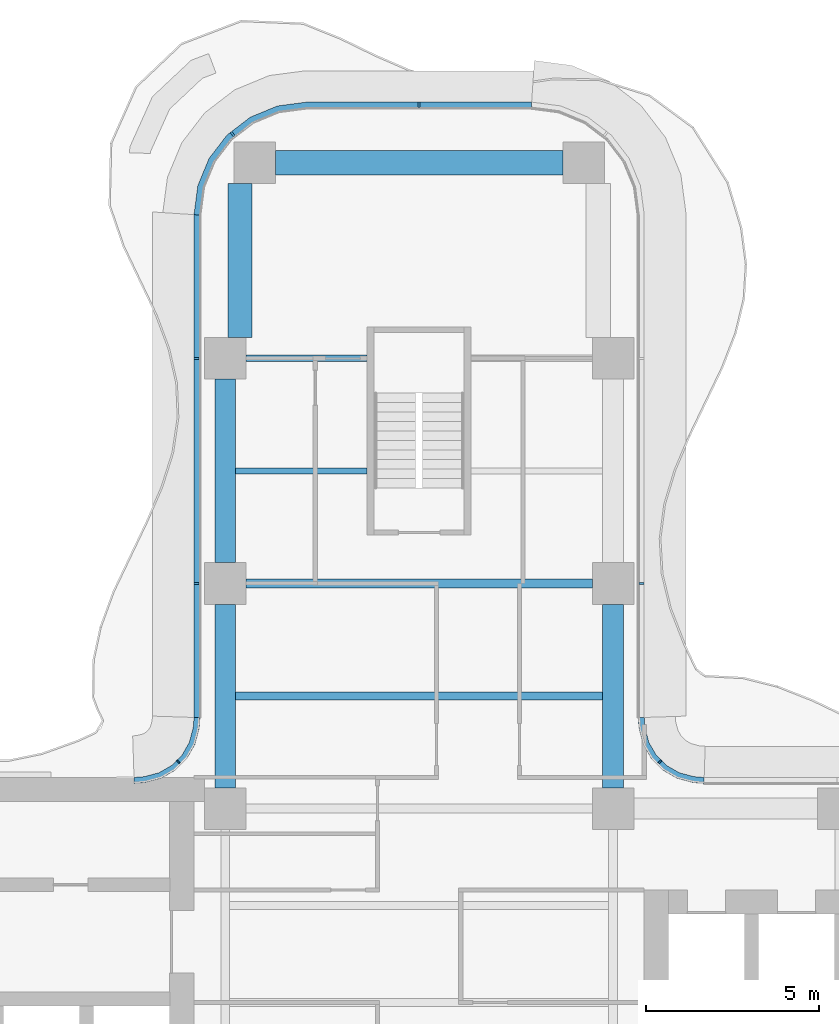
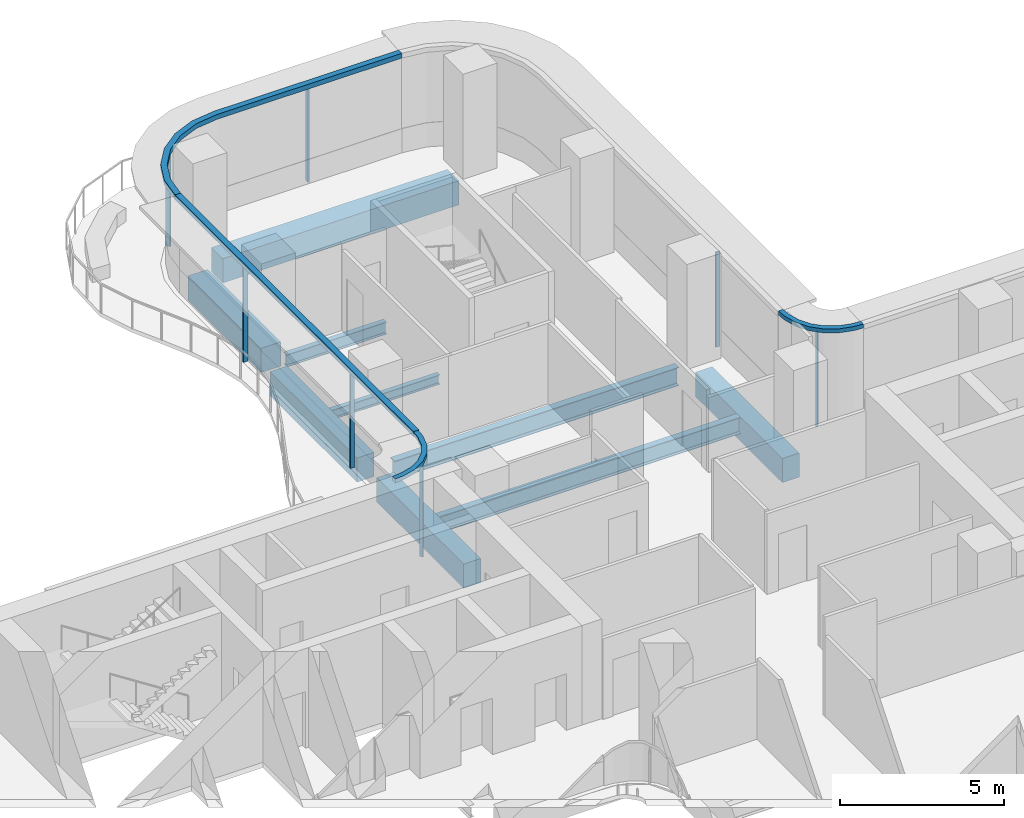
# One storey, part 7 of 17: 11 members, 9 beams, 5 elements without a shape of their own.
"""IFC4 building model written with IfcOpenShell, lengths in metres."""

from ifc_helpers import new_model, si_unit, direction, frame, origin, origin_2d, place, context, subcontext, project, spatial, polyline, rectangle, i_section, outline, extrude, source, transform, mapped, material, layer, layer_set, material_profile, profile_set, type_object, element, aggregate, save


model = new_model("IFC4")

# Units and contexts
model_context = context("Model", 3, precision=1e-05, world=origin(), true_north=direction((0.0, 1.0)))
body_context = subcontext(model_context, "Body", "Model", "MODEL_VIEW")
ifc_project = project(units=[si_unit("LENGTHUNIT", "METRE"), si_unit("AREAUNIT", "SQUARE_METRE"), si_unit("VOLUMEUNIT", "CUBIC_METRE"), si_unit("PLANEANGLEUNIT", "RADIAN"), si_unit("MASSUNIT", "GRAM", prefix="KILO")], contexts=[model_context])

# Site, building, storey
site_placement = place(None, origin())
site = spatial("IfcSite", under=ifc_project, at=site_placement, CompositionType="ELEMENT")
building_placement = place(site_placement, origin())
building = spatial("IfcBuilding", under=site, at=building_placement, Name="Trellis Farm Tower", CompositionType="ELEMENT")
storey_placement = place(building_placement, frame((0.0, 0.0, 165.89990234375)))
storey = spatial("IfcBuildingStorey", under=building, at=storey_placement, Name="L35", CompositionType="ELEMENT", Elevation=165.89990234375)

# Curtain wall, member
ifc_material_1 = material(Name="Aluminium and glass curtain wall", Category="aluminium")
ifc_layer_1 = layer(ifc_material_1, 0.18994140625)
ifc_layer_set_1 = layer_set([ifc_layer_1], Name="RIBBON CURTAIN WALL CW1")
curtain_wall_type_1 = type_object("IfcCurtainWallType", Name="RIBBON CURTAIN WALL CW1", PredefinedType="NOTDEFINED", material=ifc_layer_set_1)
placement_1 = place(storey_placement, origin())
curtain_wall_1 = element("IfcCurtainWall", 1, at=placement_1, inside=storey, type_object=curtain_wall_type_1, Name="CW1 010", PredefinedType="NOTDEFINED")
ifc_material_2 = material(Name="Aluminium extrusion 6063-T6", Category="aluminium")
ifc_layer_2 = layer(ifc_material_2, 0.199951171875)
ifc_layer_set_2 = layer_set([ifc_layer_2], Name="Aluminium extrusion 6063-T6")
member_type_1 = type_object("IfcMemberType", Name="CW1 TRANSOM 200x180", PredefinedType="USERDEFINED", material=ifc_layer_set_2)
placement_2 = place(storey_placement, frame((0.0, 0.0, 3.52001953125)))
member_1 = element("IfcMember", 2, at=placement_2, type_object=member_type_1, Name="TR1 010", ObjectType="TRANSOM", PredefinedType="USERDEFINED", context=body_context, shape_type="SweptSolid", body=[
    extrude(outline(polyline([(3.25, 26.0), (-3.25, 26.0), (-4.091064453125, 25.88916015625), (-4.875, 25.564697265625), (-5.548095703125, 25.048095703125), (-6.064697265625, 24.375), (-6.38916015625, 23.591064453125), (-6.5, 22.75), (-6.300048828125, 22.73681640625), (-6.1943359375, 23.5390625), (-5.889892578125, 24.274169921875), (-5.405517578125, 24.905517578125), (-4.774169921875, 25.389892578125), (-4.0390625, 25.6943359375), (-3.23681640625, 25.800048828125), (3.23681640625, 25.800048828125), (3.25, 26.0)])), origin(), (0.0, 0.0, 1.0), 0.18017578125),
])

curtain_wall_2 = element("IfcCurtainWall", 3, at=placement_1, inside=storey, type_object=curtain_wall_type_1, Name="CW1 011", PredefinedType="NOTDEFINED")
member_2 = element("IfcMember", 4, at=placement_2, type_object=member_type_1, Name="TR1 011", ObjectType="TRANSOM", PredefinedType="USERDEFINED", context=body_context, shape_type="SweptSolid", body=[
    extrude(outline(polyline([(-6.5, 22.75), (-6.5, 8.2314453125), (-6.300048828125, 8.224853515625), (-6.300048828125, 22.73681640625), (-6.5, 22.75)])), origin(), (0.0, 0.0, 1.0), 0.18017578125),
])

# Beams
ifc_material_3 = material(Name="Steel S355", Category="steel")
ifc_material_profile_1 = material_profile(ifc_material_3, i_section(OverallWidth=0.1904296875, OverallDepth=0.45703125, WebThickness=0.009033203125, FlangeThickness=0.014404296875, FilletRadius=0.01025390625, at=origin_2d()), Name="UB 457x191x74")
ifc_profile_set_1 = profile_set([ifc_material_profile_1], Name="Steel S355")
beam_type_1 = type_object("IfcBeamType", Name="UB 457x191x74", PredefinedType="BEAM", material=ifc_profile_set_1)
shared_shape_1 = source(origin(), body_context, "Body", "SweptSolid", [
    extrude(i_section(OverallWidth=0.1904296875, OverallDepth=0.45703125, WebThickness=0.009033203125, FlangeThickness=0.014404296875, FilletRadius=0.01025390625, at=origin_2d()), origin(), (0.0, 0.0, 1.0), 3.5),
])
beam_1_placement = place(storey_placement, frame((-5.0, 18.60009765625, -0.428466796875), z_axis=(1.0, 0.0, 0.0), x_axis=(0.0, 1.0, 0.0)))
element("IfcBeam", 5, at=beam_1_placement, inside=storey, type_object=beam_type_1, Name="Girder", PredefinedType="BEAM", context=body_context, shape_type="MappedRepresentation", body=[
    mapped(shared_shape_1, transform((0.0, 0.0, 0.0))),
])
ifc_material_4 = material(Name="Concrete C60/75", Category="concrete")
ifc_material_profile_2 = material_profile(ifc_material_4, rectangle(XDim=0.60009765625, YDim=0.89990234375, at=origin_2d()), Name="RC spandrel beam 600x900 C60/75")
ifc_profile_set_2 = profile_set([ifc_material_profile_2], Name="Concrete C60/75")
beam_type_2 = type_object("IfcBeamType", Name="RC spandrel beam 600x900 C60/75", PredefinedType="SPANDREL", material=ifc_profile_set_2)
shared_shape_2 = source(origin(), body_context, "Body", "SweptSolid", [
    extrude(rectangle(XDim=0.60009765625, YDim=0.89990234375, at=origin_2d()), origin(), (0.0, 0.0, 1.0), 5.300048828125),
])
for number, where, z_axis, x_axis, name in (
    (6, (-5.60009765625, 6.199951171875, -0.64990234375), (0.0, 1.0, 0.0), (-1.0, 0.0, 0.0), "Girder"),
    (7, (-5.60009765625, 12.699951171875, -0.64990234375), (0.0, 1.0, 0.0), (-1.0, 0.0, 0.0), "Girder"),
    (8, (5.60009765625, 6.199951171875, -0.64990234375), (0.0, 1.0, 0.0), (-1.0, 0.0, 0.0), "Girder"),
):
    element("IfcBeam", number, at=place(storey_placement, frame(where, z_axis=z_axis, x_axis=x_axis)), inside=storey, type_object=beam_type_2, Name=name, PredefinedType="SPANDREL", context=body_context, shape_type="MappedRepresentation", body=[
        mapped(shared_shape_2, transform((0.0, 0.0, 0.0))),
    ])
ifc_material_profile_3 = material_profile(ifc_material_3, i_section(OverallWidth=0.253662109375, OverallDepth=0.68359375, WebThickness=0.012451171875, FlangeThickness=0.021728515625, FilletRadius=0.01513671875, at=origin_2d()), Name="UB 686x254x140")
ifc_profile_set_3 = profile_set([ifc_material_profile_3], Name="Steel S355")
beam_type_3 = type_object("IfcBeamType", Name="UB 686x254x140", PredefinedType="BEAM", material=ifc_profile_set_3)
shared_shape_3 = source(origin(), body_context, "Body", "SweptSolid", [
    extrude(i_section(OverallWidth=0.253662109375, OverallDepth=0.68359375, WebThickness=0.012451171875, FlangeThickness=0.021728515625, FilletRadius=0.01513671875, at=origin_2d()), origin(), (0.0, 0.0, 1.0), 10.0),
])
beam_2_placement = place(storey_placement, frame((-5.0, 12.10009765625, -0.54150390625), z_axis=(1.0, 0.0, 0.0), x_axis=(0.0, 1.0, 0.0)))
element("IfcBeam", 9, at=beam_2_placement, inside=storey, type_object=beam_type_3, Name="Girder", PredefinedType="BEAM", context=body_context, shape_type="MappedRepresentation", body=[
    mapped(shared_shape_3, transform((0.0, 0.0, 0.0))),
])
ifc_material_profile_4 = material_profile(ifc_material_4, rectangle(XDim=0.699951171875, YDim=0.89990234375, at=origin_2d()), Name="RC spandrel beam 700x900 C60/75")
ifc_profile_set_4 = profile_set([ifc_material_profile_4], Name="Concrete C60/75")
beam_type_4 = type_object("IfcBeamType", Name="RC spandrel beam 700x900 C60/75", PredefinedType="SPANDREL", material=ifc_profile_set_4)
shared_shape_4 = source(origin(), body_context, "Body", "SweptSolid", [
    extrude(rectangle(XDim=0.699951171875, YDim=0.89990234375, at=origin_2d()), origin(), (0.0, 0.0, 1.0), 8.2998046875),
])
beam_3_placement = place(storey_placement, frame((-4.14990234375, 24.25, -0.64990234375), z_axis=(1.0, 0.0, 0.0), x_axis=(0.0, 1.0, 0.0)))
element("IfcBeam", 10, at=beam_3_placement, inside=storey, type_object=beam_type_4, Name="Girder", PredefinedType="SPANDREL", context=body_context, shape_type="MappedRepresentation", body=[
    mapped(shared_shape_4, transform((0.0, 0.0, 0.0))),
])
shared_shape_5 = source(origin(), body_context, "Body", "SweptSolid", [
    extrude(rectangle(XDim=0.699951171875, YDim=0.89990234375, at=origin_2d()), origin(), (0.0, 0.0, 1.0), 4.449951171875),
])
beam_4_placement = place(storey_placement, frame((-5.175048828125, 19.199951171875, -0.64990234375), z_axis=(0.0, 1.0, 0.0), x_axis=(-1.0, 0.0, 0.0)))
element("IfcBeam", 11, at=beam_4_placement, inside=storey, type_object=beam_type_4, Name="Girder", PredefinedType="SPANDREL", context=body_context, shape_type="MappedRepresentation", body=[
    mapped(shared_shape_5, transform((0.0, 0.0, 0.0))),
])
ifc_material_profile_5 = material_profile(ifc_material_3, i_section(OverallWidth=0.17138671875, OverallDepth=0.35498046875, WebThickness=0.00732421875, FlangeThickness=0.011474609375, FilletRadius=0.01025390625, at=origin_2d()), Name="UB 356x171x51")
ifc_profile_set_5 = profile_set([ifc_material_profile_5], Name="Steel S355")
beam_type_5 = type_object("IfcBeamType", Name="UB 356x171x51 joist", PredefinedType="JOIST", material=ifc_profile_set_5)
shared_shape_6 = source(origin(), body_context, "Body", "SweptSolid", [
    extrude(i_section(OverallWidth=0.17138671875, OverallDepth=0.35498046875, WebThickness=0.00732421875, FlangeThickness=0.011474609375, FilletRadius=0.01025390625, at=origin_2d()), origin(), (0.0, 0.0, 1.0), 3.800048828125),
])
beam_5_placement = place(storey_placement, frame((-5.300048828125, 15.35009765625, -0.37744140625), z_axis=(1.0, 0.0, 0.0), x_axis=(0.0, 1.0, 0.0)))
element("IfcBeam", 12, at=beam_5_placement, inside=storey, type_object=beam_type_5, Name="Floor beam", PredefinedType="JOIST", context=body_context, shape_type="MappedRepresentation", body=[
    mapped(shared_shape_6, transform((0.0, 0.0, 0.0))),
])
ifc_material_profile_6 = material_profile(ifc_material_3, i_section(OverallWidth=0.22900390625, OverallDepth=0.6123046875, WebThickness=0.011962890625, FlangeThickness=0.01953125, FilletRadius=0.0126953125, at=origin_2d()), Name="UB 610x229x125")
ifc_profile_set_6 = profile_set([ifc_material_profile_6], Name="Steel S355")
beam_type_6 = type_object("IfcBeamType", Name="UB 610x229x125 joist", PredefinedType="JOIST", material=ifc_profile_set_6)
shared_shape_7 = source(origin(), body_context, "Body", "SweptSolid", [
    extrude(i_section(OverallWidth=0.22900390625, OverallDepth=0.6123046875, WebThickness=0.011962890625, FlangeThickness=0.01953125, FilletRadius=0.0126953125, at=origin_2d()), origin(), (0.0, 0.0, 1.0), 10.60009765625),
])
beam_6_placement = place(storey_placement, frame((-5.300048828125, 8.85009765625, -0.506103515625), z_axis=(1.0, 0.0, 0.0), x_axis=(0.0, 1.0, 0.0)))
element("IfcBeam", 13, at=beam_6_placement, inside=storey, type_object=beam_type_6, Name="Floor beam", PredefinedType="JOIST", context=body_context, shape_type="MappedRepresentation", body=[
    mapped(shared_shape_7, transform((0.0, 0.0, 0.0))),
])

# Curtain wall, member
curtain_wall_3 = element("IfcCurtainWall", 14, at=placement_1, inside=storey, type_object=curtain_wall_type_1, Name="CW1 009", PredefinedType="NOTDEFINED")
ifc_material_profile_7 = material_profile(ifc_material_2, rectangle(XDim=0.06005859375, YDim=0.14990234375, at=origin_2d()), Name="MULLION 60x150")
ifc_profile_set_7 = profile_set([ifc_material_profile_7], Name="Aluminium extrusion 6063-T6")
member_type_2 = type_object("IfcMemberType", Name="CW1 MULLION 60x150", PredefinedType="MULLION", material=ifc_profile_set_7)
shared_shape_8 = source(origin(), body_context, "Body", "SweptSolid", [
    extrude(rectangle(XDim=0.06005859375, YDim=0.14990234375, at=origin_2d()), origin(), (0.0, 0.0, 1.0), 3.52001953125),
])
member_3_placement = place(storey_placement, frame((6.425048828125, 12.10009765625, 0.0), z_axis=(0.0, 0.0, 1.0), x_axis=(0.0, 1.0, 0.0)))
member_3 = element("IfcMember", 15, at=member_3_placement, type_object=member_type_2, Name="MU1 009-01", PredefinedType="MULLION", context=body_context, shape_type="MappedRepresentation", body=[
    mapped(shared_shape_8, transform((0.0, 0.0, 0.0))),
])
aggregate(curtain_wall_3, [member_3])

# Member
member_4_placement = place(storey_placement, frame((0.0, 25.925048828125, 0.0), z_axis=(0.0, 0.0, 1.0), x_axis=(-1.0, 0.0, 0.0)))
member_4 = element("IfcMember", 16, at=member_4_placement, type_object=member_type_2, Name="MU1 010-01", PredefinedType="MULLION", context=body_context, shape_type="MappedRepresentation", body=[
    mapped(shared_shape_8, transform((0.0, 0.0, 0.0))),
])

member_5_placement = place(storey_placement, frame((-5.385498046875, 25.078369140625, 0.0), z_axis=(0.0, 0.0, 1.0), x_axis=(-0.793353340291, -0.608761429009, 0.0)))
member_5 = element("IfcMember", 17, at=member_5_placement, type_object=member_type_2, Name="MU1 010-02", PredefinedType="MULLION", context=body_context, shape_type="MappedRepresentation", body=[
    mapped(shared_shape_8, transform((0.0, 0.0, 0.0))),
])

aggregate(curtain_wall_1, [member_4, member_5, member_1])

member_6_placement = place(storey_placement, frame((-6.425048828125, 18.60009765625, 0.0), z_axis=(0.0, 0.0, 1.0), x_axis=(0.0, -1.0, 0.0)))
member_6 = element("IfcMember", 18, at=member_6_placement, type_object=member_type_2, Name="MU1 011-01", PredefinedType="MULLION", context=body_context, shape_type="MappedRepresentation", body=[
    mapped(shared_shape_8, transform((0.0, 0.0, 0.0))),
])

member_7_placement = place(storey_placement, frame((-6.425048828125, 12.10009765625, 0.0), z_axis=(0.0, 0.0, 1.0), x_axis=(0.0, -1.0, 0.0)))
member_7 = element("IfcMember", 19, at=member_7_placement, type_object=member_type_2, Name="MU1 011-02", PredefinedType="MULLION", context=body_context, shape_type="MappedRepresentation", body=[
    mapped(shared_shape_8, transform((0.0, 0.0, 0.0))),
])

aggregate(curtain_wall_2, [member_6, member_7, member_2])

# Curtain wall, member
ifc_layer_3 = layer(ifc_material_1, 0.166015625)
ifc_layer_set_3 = layer_set([ifc_layer_3], Name="WINTER GARDEN CURTAIN WALL CW3")
curtain_wall_type_2 = type_object("IfcCurtainWallType", Name="WINTER GARDEN CURTAIN WALL CW3", PredefinedType="NOTDEFINED", material=ifc_layer_set_3)
curtain_wall_4 = element("IfcCurtainWall", 20, at=placement_1, inside=storey, type_object=curtain_wall_type_2, Name="CW3 003", PredefinedType="NOTDEFINED")
ifc_material_profile_8 = material_profile(ifc_material_2, rectangle(XDim=0.050048828125, YDim=0.1201171875, at=origin_2d()), Name="MULLION 50x120")
ifc_profile_set_8 = profile_set([ifc_material_profile_8], Name="Aluminium extrusion 6063-T6")
member_type_3 = type_object("IfcMemberType", Name="CW3 MULLION 50x120", PredefinedType="MULLION", material=ifc_profile_set_8)
shared_shape_9 = source(origin(), body_context, "Body", "SweptSolid", [
    extrude(rectangle(XDim=0.050048828125, YDim=0.1201171875, at=origin_2d()), origin(), (0.0, 0.0, 1.0), 3.550048828125),
])
member_8_placement = place(storey_placement, frame((6.953125, 6.953125, 0.0), z_axis=(0.0, 0.0, 1.0), x_axis=(-0.707106781187, 0.707106781187, 0.0)))
member_8 = element("IfcMember", 21, at=member_8_placement, type_object=member_type_3, Name="MU3 003-01", PredefinedType="MULLION", context=body_context, shape_type="MappedRepresentation", body=[
    mapped(shared_shape_9, transform((0.0, 0.0, 0.0))),
])

curtain_wall_5 = element("IfcCurtainWall", 22, at=placement_1, inside=storey, type_object=curtain_wall_type_2, Name="CW3 004", PredefinedType="NOTDEFINED")
member_9_placement = place(storey_placement, frame((-6.953125, 6.953125, 0.0), z_axis=(0.0, 0.0, 1.0), x_axis=(-0.707106781187, -0.707106781187, 0.0)))
member_9 = element("IfcMember", 23, at=member_9_placement, type_object=member_type_3, Name="MU3 004-01", PredefinedType="MULLION", context=body_context, shape_type="MappedRepresentation", body=[
    mapped(shared_shape_9, transform((0.0, 0.0, 0.0))),
])

# Member
ifc_layer_4 = layer(ifc_material_2, 0.169921875)
ifc_layer_set_4 = layer_set([ifc_layer_4], Name="Aluminium extrusion 6063-T6")
member_type_4 = type_object("IfcMemberType", Name="CW3 TRANSOM 170x150", PredefinedType="USERDEFINED", material=ifc_layer_set_4)
shared_shape_10 = source(origin(), body_context, "Body", "SweptSolid", [
    extrude(outline(polyline([(8.2314453125, 6.5), (8.01953125, 6.513916015625), (7.91552734375, 6.527587890625), (7.508544921875, 6.63671875), (7.144287109375, 6.846923828125), (6.846923828125, 7.144287109375), (6.63671875, 7.508544921875), (6.527587890625, 7.91552734375), (6.513916015625, 8.01953125), (6.5, 8.2314453125), (6.330078125, 8.225830078125), (6.3447265625, 8.0029296875), (6.360595703125, 7.88232421875), (6.478271484375, 7.44287109375), (6.7109375, 7.0400390625), (7.0400390625, 6.7109375), (7.44287109375, 6.478271484375), (7.88232421875, 6.360595703125), (8.0029296875, 6.3447265625), (8.225830078125, 6.330078125), (8.2314453125, 6.5)])), origin(), (0.0, 0.0, 1.0), 0.150146484375),
])
placement_3 = place(storey_placement, frame((0.0, 0.0, 3.550048828125)))
member_10 = element("IfcMember", 24, at=placement_3, type_object=member_type_4, Name="TR3 003", ObjectType="TRANSOM", PredefinedType="USERDEFINED", context=body_context, shape_type="MappedRepresentation", body=[
    mapped(shared_shape_10, transform((0.0, 0.0, 0.0))),
])

aggregate(curtain_wall_4, [member_8, member_10])

shared_shape_11 = source(origin(), body_context, "Body", "SweptSolid", [
    extrude(outline(polyline([(-6.5, 8.2314453125), (-6.513916015625, 8.01953125), (-6.527587890625, 7.91552734375), (-6.63671875, 7.508544921875), (-6.846923828125, 7.144287109375), (-7.144287109375, 6.846923828125), (-7.508544921875, 6.63671875), (-7.91552734375, 6.527587890625), (-8.01953125, 6.513916015625), (-8.2314453125, 6.5), (-8.225830078125, 6.330078125), (-8.0029296875, 6.3447265625), (-7.88232421875, 6.360595703125), (-7.44287109375, 6.478271484375), (-7.0400390625, 6.7109375), (-6.7109375, 7.0400390625), (-6.478271484375, 7.44287109375), (-6.360595703125, 7.88232421875), (-6.3447265625, 8.0029296875), (-6.330078125, 8.225830078125), (-6.5, 8.2314453125)])), origin(), (0.0, 0.0, 1.0), 0.150146484375),
])
member_11 = element("IfcMember", 25, at=placement_3, type_object=member_type_4, Name="TR3 004", ObjectType="TRANSOM", PredefinedType="USERDEFINED", context=body_context, shape_type="MappedRepresentation", body=[
    mapped(shared_shape_11, transform((0.0, 0.0, 0.0))),
])

aggregate(curtain_wall_5, [member_9, member_11])

save(model, "model.ifc")
